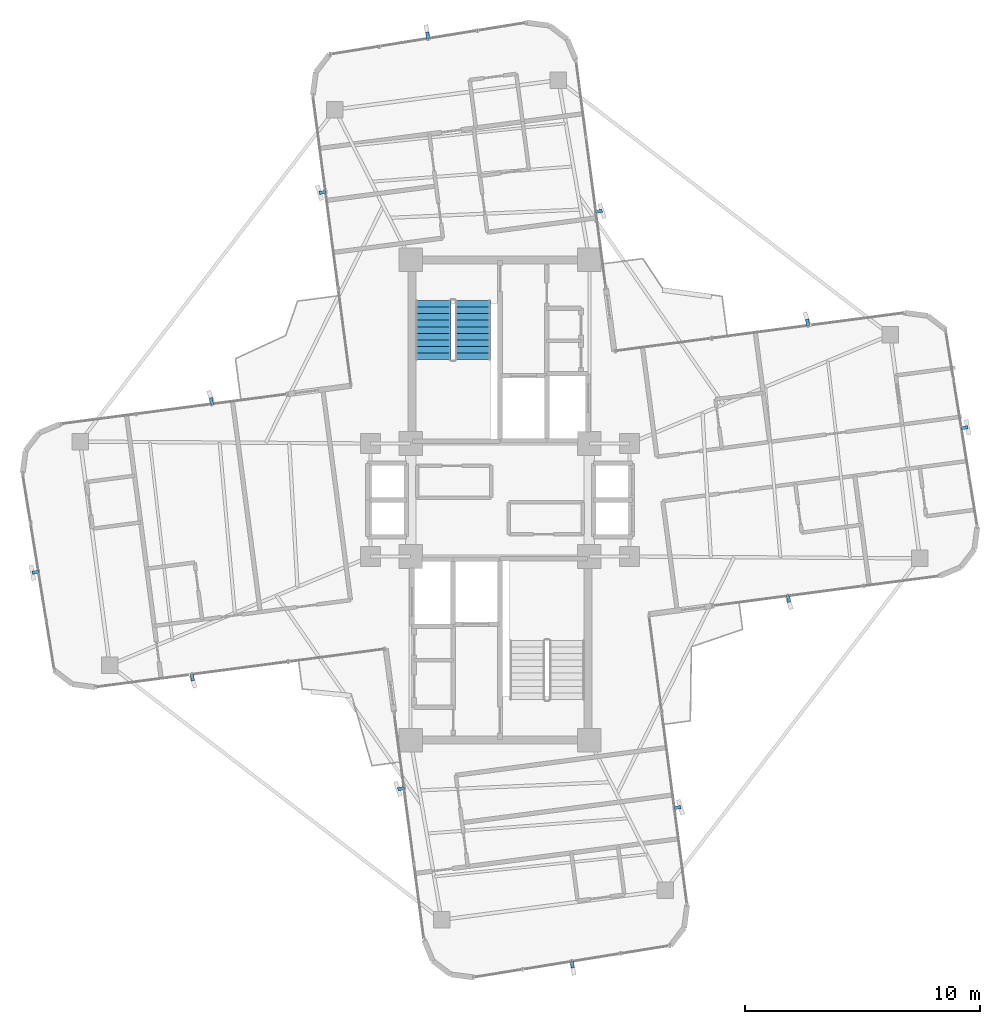
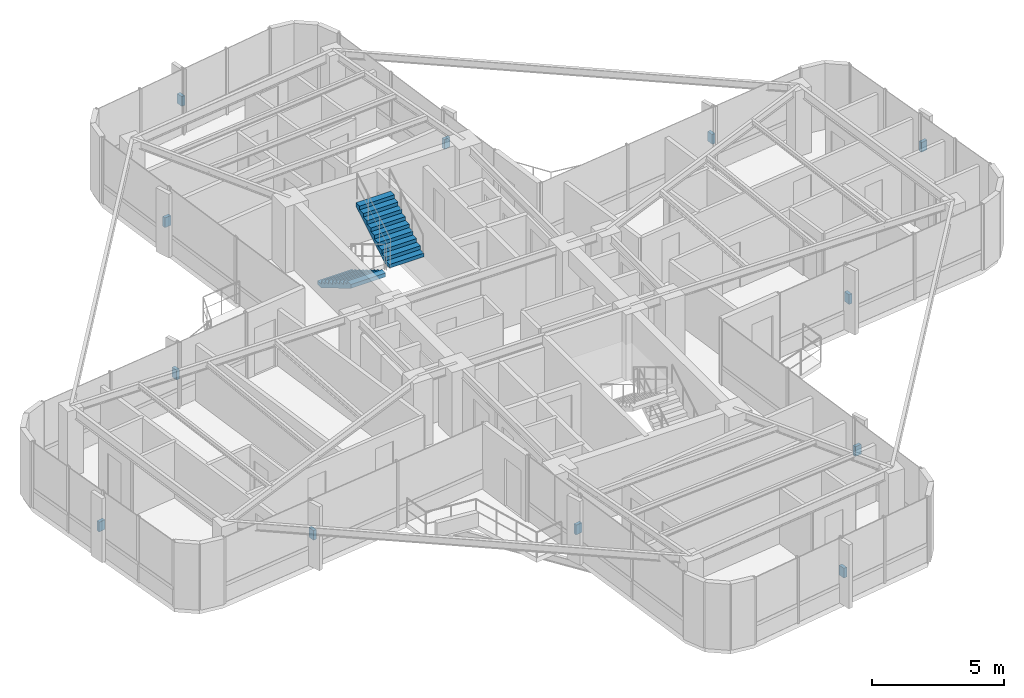
# One storey, part 22 of 23: 12 discrete accessories, 2 stair flights, 1 element without a shape of its own.
"""IFC4 building model written with IfcOpenShell, lengths in metres."""

from ifc_helpers import new_model, si_unit, direction, frame, origin, origin_2d, place, context, subcontext, project, spatial, polyline, rectangle, outline, extrude, source, transform, mapped, material, type_object, element, aggregate, save


model = new_model("IFC4")

# Units and contexts
model_context = context("Model", 3, precision=1e-05, world=origin(), true_north=direction((0.0, 1.0)))
body_context = subcontext(model_context, "Body", "Model", "MODEL_VIEW")
ifc_project = project(units=[si_unit("LENGTHUNIT", "METRE"), si_unit("AREAUNIT", "SQUARE_METRE"), si_unit("VOLUMEUNIT", "CUBIC_METRE"), si_unit("PLANEANGLEUNIT", "RADIAN"), si_unit("MASSUNIT", "GRAM", prefix="KILO")], contexts=[model_context])

# Site, building, storey
site_placement = place(None, origin())
site = spatial("IfcSite", under=ifc_project, at=site_placement, CompositionType="ELEMENT")
building_placement = place(site_placement, origin())
building = spatial("IfcBuilding", under=site, at=building_placement, Name="Sahyath Konkavel Grand Hotel", CompositionType="ELEMENT")
storey_placement = place(building_placement, frame((0.0, 0.0, 226.60009765625)))
storey = spatial("IfcBuildingStorey", under=building, at=storey_placement, Name="L63", CompositionType="ELEMENT", Elevation=226.60009765625)

# Stair, stair flights
ifc_material_1 = material(Name="Concrete C40/50", Category="concrete")
stair_type = type_object("IfcStairType", Name="STR-ST16-335", PredefinedType="HALF_TURN_STAIR", material=ifc_material_1)
stair_placement = place(storey_placement, origin())
stair = element("IfcStair", 1, at=stair_placement, inside=storey, type_object=stair_type, Name="L63 North Core Smokeproof Exit Stair ST-1", PredefinedType="HALF_TURN_STAIR")
stair_flight_type = type_object("IfcStairFlightType", Name="STF-ST16-335", PredefinedType="STRAIGHT", material=ifc_material_1)
stair_flight_1_placement = place(storey_placement, frame((-2.840087890625, 8.47998046875, 0.0), z_axis=(0.0, 0.0, 1.0), x_axis=(0.0, -1.0, 0.0)))
stair_flight_1 = element("IfcStairFlight", 2, at=stair_flight_1_placement, type_object=stair_flight_type, Name="ST-1 flight 1", NumberOfRisers=10, NumberOfTreads=9, PredefinedType="STRAIGHT", RiserHeight=0.1675, TreadLength=0.28, context=body_context, shape_type="SweptSolid", body=[
    extrude(outline(polyline([(0.0, 0.0), (0.0, 0.16748046875), (0.280029296875, 0.16748046875), (0.280029296875, 0.3349609375), (0.56005859375, 0.3349609375), (0.56005859375, 0.50244140625), (0.840087890625, 0.50244140625), (0.840087890625, 0.669921875), (1.1201171875, 0.669921875), (1.1201171875, 0.83740234375), (1.39990234375, 0.83740234375), (1.39990234375, 1.0048828125), (1.679931640625, 1.0048828125), (1.679931640625, 1.172607421875), (1.9599609375, 1.172607421875), (1.9599609375, 1.340087890625), (2.239990234375, 1.340087890625), (2.239990234375, 1.507568359375), (2.52001953125, 1.507568359375), (2.52001953125, 1.675048828125), (2.52001953125, 1.332763671875), (0.2919921875, 0.0), (0.0, 0.0)])), frame((0.0, 0.760009765625, 0.0), z_axis=(0.0, -1.0, 0.0), x_axis=(1.0, 0.0, 0.0)), (0.0, 0.0, 1.0), 1.52001953125),
])
stair_flight_2_placement = place(storey_placement, frame((-1.159912109375, 5.9599609375, 1.6748046875), z_axis=(0.0, 0.0, 1.0), x_axis=(0.0, 1.0, 0.0)))
stair_flight_2 = element("IfcStairFlight", 3, at=stair_flight_2_placement, type_object=stair_flight_type, Name="ST-1 flight 2", NumberOfRisers=10, NumberOfTreads=9, PredefinedType="STRAIGHT", RiserHeight=0.1675, TreadLength=0.28, context=body_context, shape_type="SweptSolid", body=[
    extrude(outline(polyline([(0.0, 0.0), (0.0, 0.16748046875), (0.280029296875, 0.16748046875), (0.280029296875, 0.3349609375), (0.56005859375, 0.3349609375), (0.56005859375, 0.50244140625), (0.840087890625, 0.50244140625), (0.840087890625, 0.669921875), (1.1201171875, 0.669921875), (1.1201171875, 0.83740234375), (1.39990234375, 0.83740234375), (1.39990234375, 1.0048828125), (1.679931640625, 1.0048828125), (1.679931640625, 1.172607421875), (1.9599609375, 1.172607421875), (1.9599609375, 1.340087890625), (2.239990234375, 1.340087890625), (2.239990234375, 1.507568359375), (2.52001953125, 1.507568359375), (2.52001953125, 1.675048828125), (2.52001953125, 1.332763671875), (0.2919921875, 0.0), (0.0, 0.0)])), frame((0.0, 0.760009765625, 0.0), z_axis=(0.0, -1.0, 0.0), x_axis=(1.0, 0.0, 0.0)), (0.0, 0.0, 1.0), 1.52001953125),
])
aggregate(stair, [stair_flight_1, stair_flight_2])

# Discrete accessories
ifc_material_2 = material(Name="Steel E350", Category="steel")
discrete_accessory_type = type_object("IfcDiscreteAccessoryType", Name="ACC-FIN-BRACKET", PredefinedType="BRACKET", material=ifc_material_2)
shared_shape = source(origin(), body_context, "Body", "SweptSolid", [
    extrude(rectangle(XDim=0.280029296875, YDim=0.139892578125, at=origin_2d()), origin(), (0.0, 0.0, 1.0), 0.449951171875),
])
for number, where, z_axis, x_axis, name in (
    (4, (12.26220703125, -4.20361328125, 1.2998046875), (0.0, 0.0, 1.0), (0.130543496177, -0.991442583111, 0.0), "L63 Fin Support Bracket F0-1"),
    (5, (19.734375, 3.068359375, 1.2998046875), (0.0, 0.0, 1.0), (0.987219843349, 0.15936430246, 0.0), "L63 Fin Support Bracket F4-2"),
    (6, (13.067138671875, 7.5380859375, 1.2998046875), (0.0, 0.0, 1.0), (-0.13052619222, 0.991444861374, 0.0), "L63 Fin Support Bracket F7-1"),
    (7, (4.20361328125, 12.26220703125, 1.2998046875), (0.0, 0.0, 1.0), (0.991442583111, 0.130543496177, 0.0), "L63 Fin Support Bracket F8-1"),
    (8, (-3.068359375, 19.734375, 1.2998046875), (0.0, 0.0, 1.0), (-0.15936430246, 0.987219843349, 0.0), "L63 Fin Support Bracket F12-2"),
    (9, (-7.5380859375, 13.067138671875, 1.2998046875), (0.0, 0.0, 1.0), (-0.991444861374, -0.13052619222, 0.0), "L63 Fin Support Bracket F15-1"),
    (10, (-12.26220703125, 4.20361328125, 1.2998046875), (0.0, 0.0, 1.0), (-0.130543496177, 0.991442583111, 0.0), "L63 Fin Support Bracket F16-1"),
    (11, (-19.734375, -3.068359375, 1.2998046875), (0.0, 0.0, 1.0), (-0.987219843349, -0.15936430246, 0.0), "L63 Fin Support Bracket F20-2"),
    (12, (-13.067138671875, -7.5380859375, 1.2998046875), (0.0, 0.0, 1.0), (0.13052619222, -0.991444861374, 0.0), "L63 Fin Support Bracket F23-1"),
    (13, (-4.20361328125, -12.26220703125, 1.2998046875), (0.0, 0.0, 1.0), (-0.991442583111, -0.130543496177, 0.0), "L63 Fin Support Bracket F24-1"),
    (14, (3.068359375, -19.734375, 1.2998046875), (0.0, 0.0, 1.0), (0.15936430246, -0.987219843349, 0.0), "L63 Fin Support Bracket F28-2"),
    (15, (7.5380859375, -13.067138671875, 1.2998046875), (0.0, 0.0, 1.0), (0.991444861374, 0.13052619222, 0.0), "L63 Fin Support Bracket F31-1"),
):
    element("IfcDiscreteAccessory", number, at=place(storey_placement, frame(where, z_axis=z_axis, x_axis=x_axis)), inside=storey, type_object=discrete_accessory_type, Name=name, PredefinedType="BRACKET", context=body_context, shape_type="MappedRepresentation", body=[
        mapped(shared_shape, transform((0.0, 0.0, 0.0), scale=1.0)),
    ])

save(model, "model.ifc")
